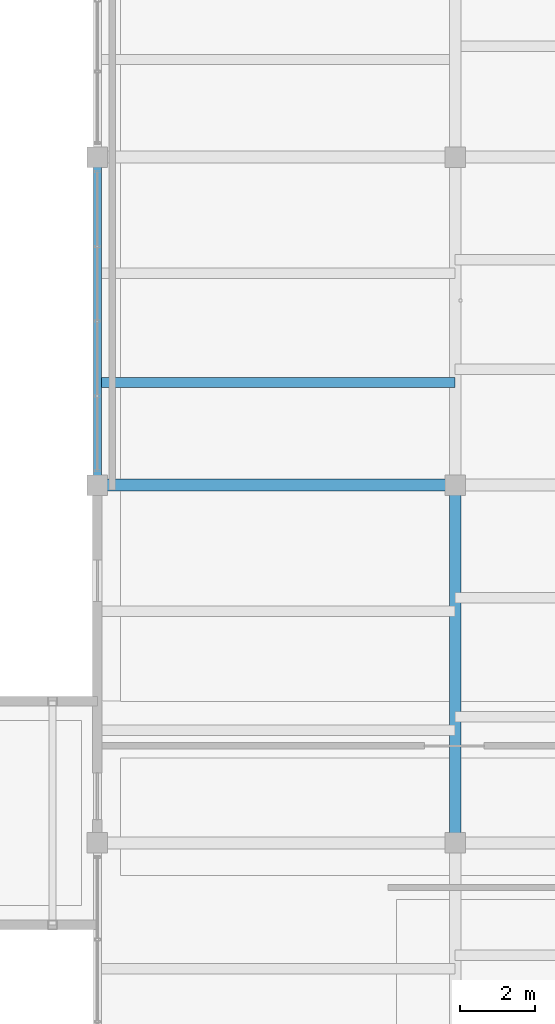
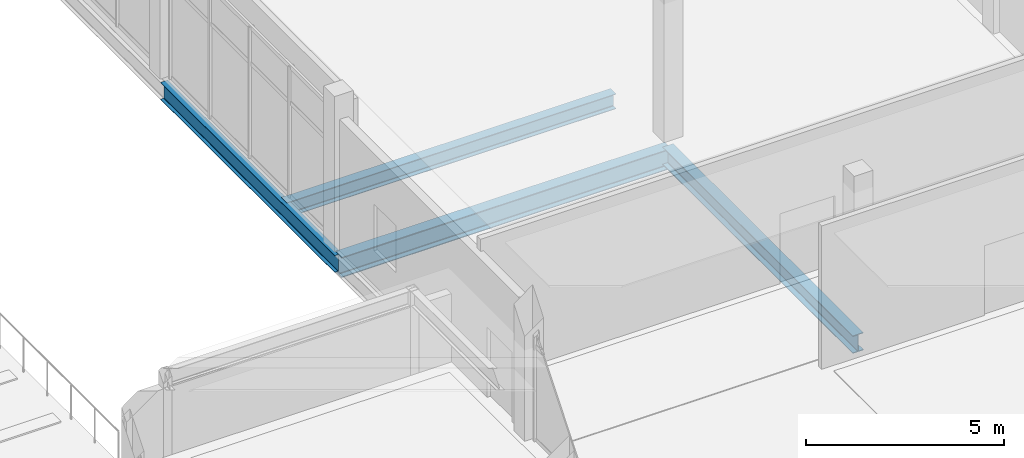
# One storey, part 74 of 157: 4 beams.
"""IFC4 building model written with IfcOpenShell, lengths in metres."""

from ifc_helpers import new_model, si_unit, direction, frame, origin, origin_2d, place, context, subcontext, project, spatial, i_section, extrude, material, material_profile, profile_set, type_object, element, save


model = new_model("IFC4")

# Units and contexts
model_context = context("Model", 3, precision=1e-05, world=origin(), true_north=direction((0.0, 1.0)))
body_context = subcontext(model_context, "Body", "Model", "MODEL_VIEW")
ifc_project = project(units=[si_unit("LENGTHUNIT", "METRE"), si_unit("AREAUNIT", "SQUARE_METRE"), si_unit("VOLUMEUNIT", "CUBIC_METRE"), si_unit("PLANEANGLEUNIT", "RADIAN"), si_unit("MASSUNIT", "GRAM", prefix="KILO")], contexts=[model_context])

# Site, building, storey
site_placement = place(None, origin())
site = spatial("IfcSite", under=ifc_project, at=site_placement, CompositionType="ELEMENT")
building_placement = place(site_placement, origin())
building = spatial("IfcBuilding", under=site, at=building_placement, Name="Chalmorin Arch Market", CompositionType="ELEMENT")
storey_placement = place(building_placement, frame((0.0, 0.0, 4.800048828125)))
storey = spatial("IfcBuildingStorey", under=building, at=storey_placement, Name="L01", CompositionType="ELEMENT", Elevation=4.800048828125)

# Beams
ifc_material = material(Name="Steel A992 Grade 50", Category="steel")
ifc_material_profile_1 = material_profile(ifc_material, i_section(OverallWidth=0.326904296875, OverallDepth=0.6220703125, WebThickness=0.015380859375, FlangeThickness=0.0244140625, FilletRadius=0.02392578125, at=origin_2d()), Name="W24X131")
ifc_profile_set_1 = profile_set([ifc_material_profile_1], Name="Steel A992 Grade 50")
beam_type_1 = type_object("IfcBeamType", Name="HeavyFloorGirder-W24X131", PredefinedType="BEAM", material=ifc_profile_set_1)
beam_1_placement = place(storey_placement, frame((48.0, 100.800048828125, -0.633056640625), z_axis=(1.0, 0.0, 0.0), x_axis=(0.0, 1.0, 0.0)))
element("IfcBeam", 1, at=beam_1_placement, inside=storey, type_object=beam_type_1, Name="BG-W24C-0885", PredefinedType="BEAM", context=body_context, shape_type="SweptSolid", body=[
    extrude(i_section(OverallWidth=0.326904296875, OverallDepth=0.6220703125, WebThickness=0.015380859375, FlangeThickness=0.0244140625, FilletRadius=0.02392578125, at=origin_2d()), origin(), (0.0, 0.0, 1.0), 9.60009765625),
])
ifc_material_profile_2 = material_profile(ifc_material, i_section(OverallWidth=0.31201171875, OverallDepth=0.54296875, WebThickness=0.0126953125, FlangeThickness=0.020263671875, FilletRadius=0.02197265625, at=origin_2d()), Name="W21X101")
ifc_profile_set_2 = profile_set([ifc_material_profile_2], Name="Steel A992 Grade 50")
beam_type_2 = type_object("IfcBeamType", Name="KitchenSteelGirder-W21X101", PredefinedType="BEAM", material=ifc_profile_set_2)
beam_2_placement = place(storey_placement, frame((57.60009765625, 91.199951171875, -0.593505859375), z_axis=(0.0, 1.0, 0.0), x_axis=(-1.0, 0.0, 0.0)))
element("IfcBeam", 2, at=beam_2_placement, inside=storey, type_object=beam_type_2, Name="BG-W21C-0887", PredefinedType="BEAM", context=body_context, shape_type="SweptSolid", body=[
    extrude(i_section(OverallWidth=0.31201171875, OverallDepth=0.54296875, WebThickness=0.0126953125, FlangeThickness=0.020263671875, FilletRadius=0.02197265625, at=origin_2d()), origin(), (0.0, 0.0, 1.0), 9.60009765625),
])
ifc_material_profile_3 = material_profile(ifc_material, i_section(OverallWidth=0.208984375, OverallDepth=0.532958984375, WebThickness=0.01025390625, FlangeThickness=0.015625, FilletRadius=0.02197265625, at=origin_2d()), Name="W21X62")
ifc_profile_set_3 = profile_set([ifc_material_profile_3], Name="Steel A992 Grade 50")
beam_type_3 = type_object("IfcBeamType", Name="PerimeterSpandrelBeam-W21X62", PredefinedType="SPANDREL", material=ifc_profile_set_3)
beam_3_placement = place(storey_placement, frame((48.0, 100.800048828125, -0.588623046875), z_axis=(0.0, 1.0, 0.0), x_axis=(-1.0, 0.0, 0.0)))
element("IfcBeam", 3, at=beam_3_placement, inside=storey, type_object=beam_type_3, Name="SP-W21-0889", PredefinedType="SPANDREL", context=body_context, shape_type="SweptSolid", body=[
    extrude(i_section(OverallWidth=0.208984375, OverallDepth=0.532958984375, WebThickness=0.01025390625, FlangeThickness=0.015625, FilletRadius=0.02197265625, at=origin_2d()), origin(), (0.0, 0.0, 1.0), 8.800048828125),
])
ifc_material_profile_4 = material_profile(ifc_material, i_section(OverallWidth=0.280029296875, OverallDepth=0.462890625, WebThickness=0.0107421875, FlangeThickness=0.017333984375, FilletRadius=0.02001953125, at=origin_2d()), Name="W18X76")
ifc_profile_set_4 = profile_set([ifc_material_profile_4], Name="Steel A992 Grade 50")
beam_type_4 = type_object("IfcBeamType", Name="WorkshopSteelBeam-W18X76", PredefinedType="BEAM", material=ifc_profile_set_4)
beam_4_placement = place(storey_placement, frame((48.0, 103.55322265625, -0.553466796875), z_axis=(1.0, 0.0, 0.0), x_axis=(0.0, 1.0, 0.0)))
element("IfcBeam", 4, at=beam_4_placement, inside=storey, type_object=beam_type_4, Name="BM-W18C-0964", PredefinedType="BEAM", context=body_context, shape_type="SweptSolid", body=[
    extrude(i_section(OverallWidth=0.280029296875, OverallDepth=0.462890625, WebThickness=0.0107421875, FlangeThickness=0.017333984375, FilletRadius=0.02001953125, at=origin_2d()), origin(), (0.0, 0.0, 1.0), 9.60009765625),
])

save(model, "model.ifc")
